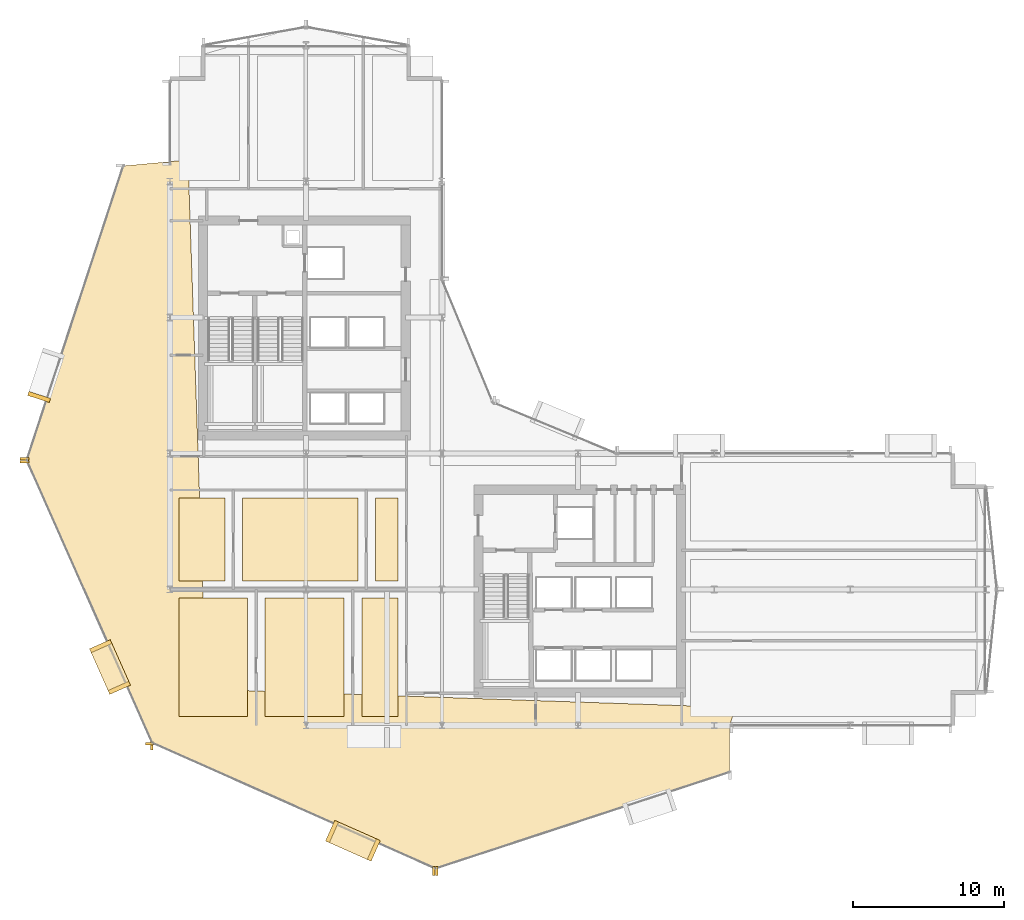
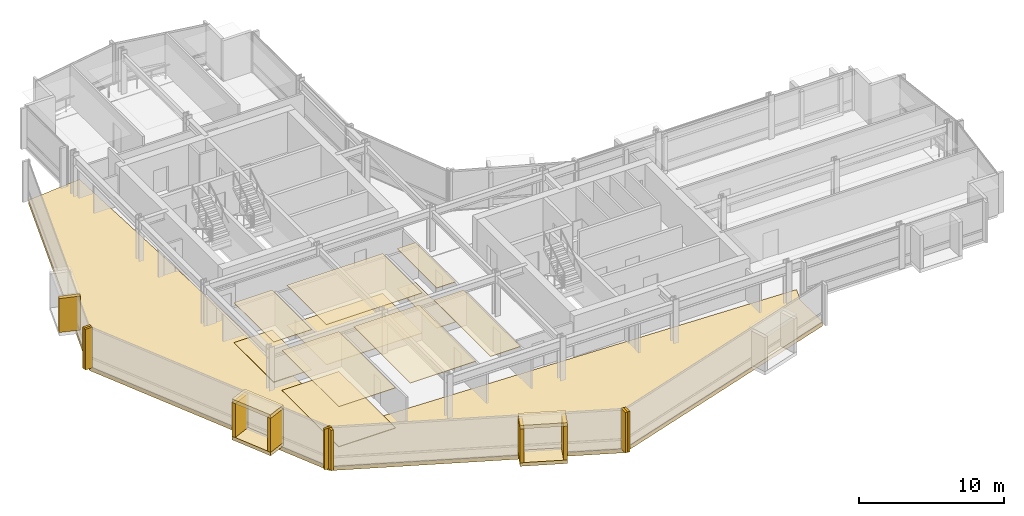
# One storey, part 30 of 34: 26 coverings.
"""IFC4 building model written with IfcOpenShell, lengths in metres."""

from ifc_helpers import new_model, si_unit, direction, frame, origin, origin_2d, place, context, subcontext, project, spatial, polyline, rectangle, outline, extrude, material, layer, layer_set, type_object, element, save


model = new_model("IFC4")

# Units and contexts
model_context = context("Model", 3, precision=1e-05, world=origin(), true_north=direction((0.0, 1.0)))
body_context = subcontext(model_context, "Body", "Model", "MODEL_VIEW")
ifc_project = project(units=[si_unit("LENGTHUNIT", "METRE"), si_unit("AREAUNIT", "SQUARE_METRE"), si_unit("VOLUMEUNIT", "CUBIC_METRE"), si_unit("PLANEANGLEUNIT", "RADIAN"), si_unit("MASSUNIT", "GRAM", prefix="KILO")], contexts=[model_context])

# Site, building, storey
site_placement = place(None, origin())
site = spatial("IfcSite", under=ifc_project, at=site_placement, CompositionType="ELEMENT")
building_placement = place(site_placement, origin())
building = spatial("IfcBuilding", under=site, at=building_placement, Name="Solvaryn Broadcast Tower", CompositionType="ELEMENT")
storey_placement = place(building_placement, frame((0.0, 0.0, 69.300048828125)))
storey = spatial("IfcBuildingStorey", under=building, at=storey_placement, Name="L16", CompositionType="ELEMENT", Elevation=69.300048828125)

# Coverings
ifc_material_1 = material(Name="Micro-Perforated Acoustic Gypsum Ceiling", Category="concrete")
ifc_layer_1 = layer(ifc_material_1, 0.0400390625)
ifc_layer_set_1 = layer_set([ifc_layer_1], Name="CV-CEIL-ACOUSTIC")
covering_type_1 = type_object("IfcCoveringType", Name="CV-CEIL-ACOUSTIC", PredefinedType="CEILING", material=ifc_layer_set_1)
covering_1_placement = place(storey_placement, frame((0.0, 0.0, 3.3798828125)))
element("IfcCovering", 1, at=covering_1_placement, inside=storey, type_object=covering_type_1, Name="L16 Room Acoustic Ceiling 1", PredefinedType="CEILING", context=body_context, shape_type="SweptSolid", body=[
    extrude(outline(polyline([(9.60009765625, 18.570068359375), (12.6298828125, 18.570068359375), (12.6298828125, 24.050048828125), (9.60009765625, 24.050048828125), (9.60009765625, 18.570068359375)])), origin(), (0.0, 0.0, 1.0), 0.0400390625),
])
covering_2_placement = place(storey_placement, frame((0.0, 0.0, 3.3798828125)))
element("IfcCovering", 2, at=covering_2_placement, inside=storey, type_object=covering_type_1, Name="L16 Room Acoustic Ceiling 2", PredefinedType="CEILING", context=body_context, shape_type="SweptSolid", body=[
    extrude(outline(polyline([(13.800048828125, 18.570068359375), (21.429931640625, 18.570068359375), (21.429931640625, 24.050048828125), (13.800048828125, 24.050048828125), (13.800048828125, 18.570068359375)])), origin(), (0.0, 0.0, 1.0), 0.0400390625),
])
covering_3_placement = place(storey_placement, frame((0.0, 0.0, 3.3798828125)))
element("IfcCovering", 3, at=covering_3_placement, inside=storey, type_object=covering_type_1, Name="L16 Room Acoustic Ceiling 3", PredefinedType="CEILING", context=body_context, shape_type="SweptSolid", body=[
    extrude(outline(polyline([(22.60009765625, 18.570068359375), (24.080078125, 18.570068359375), (24.080078125, 24.050048828125), (22.60009765625, 24.050048828125), (22.60009765625, 18.570068359375)])), origin(), (0.0, 0.0, 1.0), 0.0400390625),
])
covering_4_placement = place(storey_placement, frame((0.0, 0.0, 3.3798828125)))
element("IfcCovering", 4, at=covering_4_placement, inside=storey, type_object=covering_type_1, Name="L16 Room Acoustic Ceiling 4", PredefinedType="CEILING", context=body_context, shape_type="SweptSolid", body=[
    extrude(outline(polyline([(9.60009765625, 9.60009765625), (14.1298828125, 9.60009765625), (14.1298828125, 17.429931640625), (9.60009765625, 17.429931640625), (9.60009765625, 9.60009765625)])), origin(), (0.0, 0.0, 1.0), 0.0400390625),
])
covering_5_placement = place(storey_placement, frame((0.0, 0.0, 3.3798828125)))
element("IfcCovering", 5, at=covering_5_placement, inside=storey, type_object=covering_type_1, Name="L16 Room Acoustic Ceiling 5", PredefinedType="CEILING", context=body_context, shape_type="SweptSolid", body=[
    extrude(outline(polyline([(15.300048828125, 9.60009765625), (20.530029296875, 9.60009765625), (20.530029296875, 17.429931640625), (15.300048828125, 17.429931640625), (15.300048828125, 9.60009765625)])), origin(), (0.0, 0.0, 1.0), 0.0400390625),
])
covering_6_placement = place(storey_placement, frame((0.0, 0.0, 3.3798828125)))
element("IfcCovering", 6, at=covering_6_placement, inside=storey, type_object=covering_type_1, Name="L16 Room Acoustic Ceiling 6", PredefinedType="CEILING", context=body_context, shape_type="SweptSolid", body=[
    extrude(outline(polyline([(21.699951171875, 9.60009765625), (24.080078125, 9.60009765625), (24.080078125, 17.429931640625), (21.699951171875, 17.429931640625), (21.699951171875, 9.60009765625)])), origin(), (0.0, 0.0, 1.0), 0.0400390625),
])
ifc_material_2 = material(Name="Newsroom Raised Data Access Flooring", Category="steel")
ifc_layer_2 = layer(ifc_material_2, 0.050048828125)
ifc_layer_set_2 = layer_set([ifc_layer_2], Name="CV-FLOOR-RAISED")
covering_type_2 = type_object("IfcCoveringType", Name="CV-FLOOR-RAISED", PredefinedType="FLOORING", material=ifc_layer_set_2)
covering_7_placement = place(storey_placement, origin())
element("IfcCovering", 7, at=covering_7_placement, inside=storey, type_object=covering_type_2, Name="L16 Room Acoustic Floor Finish 1", PredefinedType="FLOORING", context=body_context, shape_type="SweptSolid", body=[
    extrude(outline(polyline([(9.60009765625, 18.570068359375), (12.6298828125, 18.570068359375), (12.6298828125, 24.050048828125), (9.60009765625, 24.050048828125), (9.60009765625, 18.570068359375)])), origin(), (0.0, 0.0, 1.0), 0.050048828125),
])
covering_8_placement = place(storey_placement, origin())
element("IfcCovering", 8, at=covering_8_placement, inside=storey, type_object=covering_type_2, Name="L16 Room Acoustic Floor Finish 2", PredefinedType="FLOORING", context=body_context, shape_type="SweptSolid", body=[
    extrude(outline(polyline([(13.800048828125, 18.570068359375), (21.429931640625, 18.570068359375), (21.429931640625, 24.050048828125), (13.800048828125, 24.050048828125), (13.800048828125, 18.570068359375)])), origin(), (0.0, 0.0, 1.0), 0.050048828125),
])
covering_9_placement = place(storey_placement, origin())
element("IfcCovering", 9, at=covering_9_placement, inside=storey, type_object=covering_type_2, Name="L16 Room Acoustic Floor Finish 3", PredefinedType="FLOORING", context=body_context, shape_type="SweptSolid", body=[
    extrude(outline(polyline([(22.60009765625, 18.570068359375), (24.080078125, 18.570068359375), (24.080078125, 24.050048828125), (22.60009765625, 24.050048828125), (22.60009765625, 18.570068359375)])), origin(), (0.0, 0.0, 1.0), 0.050048828125),
])
covering_10_placement = place(storey_placement, origin())
element("IfcCovering", 10, at=covering_10_placement, inside=storey, type_object=covering_type_2, Name="L16 Room Acoustic Floor Finish 4", PredefinedType="FLOORING", context=body_context, shape_type="SweptSolid", body=[
    extrude(outline(polyline([(9.60009765625, 9.60009765625), (14.1298828125, 9.60009765625), (14.1298828125, 17.429931640625), (9.60009765625, 17.429931640625), (9.60009765625, 9.60009765625)])), origin(), (0.0, 0.0, 1.0), 0.050048828125),
])
ifc_material_3 = material(Name="Glazed Architectural Terracotta Rainscreen Cladding", Category="masonry")
ifc_layer_3 = layer(ifc_material_3, 0.280029296875)
ifc_layer_set_3 = layer_set([ifc_layer_3], Name="CV-TC-CLAD")
covering_type_3 = type_object("IfcCoveringType", Name="CV-TC-CLAD", PredefinedType="CLADDING", material=ifc_layer_set_3)
covering_11_placement = place(storey_placement, frame((0.348388671875, 30.73828125, 0.27978515625), z_axis=(0.0, 0.0, 1.0), x_axis=(-0.311671636848, -0.950189870912, 0.0)))
element("IfcCovering", 11, at=covering_11_placement, inside=storey, type_object=covering_type_3, Name="L16 Projecting Stone Window Box Cheek 1-2", PredefinedType="CLADDING", context=body_context, shape_type="SweptSolid", body=[
    extrude(rectangle(XDim=0.280029296875, YDim=1.5, at=origin_2d()), origin(), (0.0, 0.0, 1.0), 2.860107421875),
])
for number, where, z_axis, x_axis, name in (
    (12, (5.035888671875, 12.8720703125, 3.1298828125), (0.0, 0.0, 1.0), (0.405939269498, -0.913900054426, 0.0), "L16 Projecting Stone Window Box Hood 2"),
    (13, (5.035888671875, 12.8720703125, -0.01025390625), (0.0, 0.0, 1.0), (0.405939269498, -0.913900054426, 0.0), "L16 Projecting Stone Window Box Sill 2"),
):
    element("IfcCovering", number, at=place(storey_placement, frame(where, z_axis=z_axis, x_axis=x_axis)), inside=storey, type_object=covering_type_3, Name=name, PredefinedType="CLADDING", context=body_context, shape_type="SweptSolid", body=[
        extrude(rectangle(XDim=3.300048828125, YDim=1.5, at=origin_2d()), origin(), (0.0, 0.0, 1.0), 0.300048828125),
    ])
for number, where, z_axis, x_axis, name in (
    (14, (4.423095703125, 14.251953125, 0.27978515625), (0.0, 0.0, 1.0), (0.405939269498, -0.913900054426, 0.0), "L16 Projecting Stone Window Box Cheek 2-1"),
    (15, (5.64892578125, 11.491943359375, 0.27978515625), (0.0, 0.0, 1.0), (0.405939269498, -0.913900054426, 0.0), "L16 Projecting Stone Window Box Cheek 2-2"),
):
    element("IfcCovering", number, at=place(storey_placement, frame(where, z_axis=z_axis, x_axis=x_axis)), inside=storey, type_object=covering_type_3, Name=name, PredefinedType="CLADDING", context=body_context, shape_type="SweptSolid", body=[
        extrude(rectangle(XDim=0.280029296875, YDim=1.5, at=origin_2d()), origin(), (0.0, 0.0, 1.0), 2.860107421875),
    ])
for number, where, z_axis, x_axis, name in (
    (16, (21.10498046875, 1.37890625, 3.1298828125), (0.0, 0.0, 1.0), (0.913900054426, -0.405939269498, 0.0), "L16 Projecting Stone Window Box Hood 3"),
    (17, (21.10498046875, 1.37890625, -0.01025390625), (0.0, 0.0, 1.0), (0.913900054426, -0.405939269498, 0.0), "L16 Projecting Stone Window Box Sill 3"),
):
    element("IfcCovering", number, at=place(storey_placement, frame(where, z_axis=z_axis, x_axis=x_axis)), inside=storey, type_object=covering_type_3, Name=name, PredefinedType="CLADDING", context=body_context, shape_type="SweptSolid", body=[
        extrude(rectangle(XDim=3.300048828125, YDim=1.5, at=origin_2d()), origin(), (0.0, 0.0, 1.0), 0.300048828125),
    ])
for number, where, z_axis, x_axis, name in (
    (18, (19.72509765625, 1.991943359375, 0.27978515625), (0.0, 0.0, 1.0), (0.913900054426, -0.405939269498, 0.0), "L16 Projecting Stone Window Box Cheek 3-1"),
    (19, (22.485107421875, 0.76611328125, 0.27978515625), (0.0, 0.0, 1.0), (0.913900054426, -0.405939269498, 0.0), "L16 Projecting Stone Window Box Cheek 3-2"),
):
    element("IfcCovering", number, at=place(storey_placement, frame(where, z_axis=z_axis, x_axis=x_axis)), inside=storey, type_object=covering_type_3, Name=name, PredefinedType="CLADDING", context=body_context, shape_type="SweptSolid", body=[
        extrude(rectangle(XDim=0.280029296875, YDim=1.5, at=origin_2d()), origin(), (0.0, 0.0, 1.0), 2.860107421875),
    ])
ifc_material_4 = material(Name="Extruded Architectural Terracotta Fin", Category="masonry")
ifc_layer_4 = layer(ifc_material_4, 0.179931640625)
ifc_layer_set_4 = layer_set([ifc_layer_4], Name="CV-TC-FIN")
covering_type_4 = type_object("IfcCoveringType", Name="CV-TC-FIN", PredefinedType="USERDEFINED", material=ifc_layer_set_4)
for number, where, z_axis, x_axis, name in (
    (20, (-0.625732421875, 26.644775390625, 0.0), (0.0, 0.0, 1.0), (1.0, 0.0, 0.0), "L16 Terracotta Vertical Fin FIN-L16-DR1-M01"),
    (21, (-0.6162109375, 26.459716796875, 0.0), (0.0, 0.0, 1.0), (1.0, 0.0, 0.0), "L16 Terracotta Vertical Fin FIN-L16-DR2-M00"),
    (22, (7.670654296875, 7.8017578125, 0.0), (0.0, 0.0, 1.0), (1.0, 0.0, 0.0), "L16 Terracotta Vertical Fin FIN-L16-DR2-M01"),
):
    element("IfcCovering", number, at=place(storey_placement, frame(where, z_axis=z_axis, x_axis=x_axis)), inside=storey, type_object=covering_type_4, Name=name, ObjectType="FIN", PredefinedType="USERDEFINED", context=body_context, shape_type="SweptSolid", body=[
        extrude(rectangle(XDim=0.580078125, YDim=0.179931640625, at=origin_2d()), origin(), (0.0, 0.0, 1.0), 3.419921875),
    ])
for number, where, z_axis, x_axis, name in (
    (23, (7.8017578125, 7.670654296875, 0.0), (0.0, 0.0, 1.0), (1.0, 0.0, 0.0), "L16 Terracotta Vertical Fin FIN-L16-DR3-M00"),
    (24, (26.459716796875, -0.6162109375, 0.0), (0.0, 0.0, 1.0), (1.0, 0.0, 0.0), "L16 Terracotta Vertical Fin FIN-L16-DR3-M01"),
    (25, (26.644775390625, -0.625732421875, 0.0), (0.0, 0.0, 1.0), (1.0, 0.0, 0.0), "L16 Terracotta Vertical Fin FIN-L16-DR4-M00"),
):
    element("IfcCovering", number, at=place(storey_placement, frame(where, z_axis=z_axis, x_axis=x_axis)), inside=storey, type_object=covering_type_4, Name=name, ObjectType="FIN", PredefinedType="USERDEFINED", context=body_context, shape_type="SweptSolid", body=[
        extrude(rectangle(XDim=0.179931640625, YDim=0.580078125, at=origin_2d()), origin(), (0.0, 0.0, 1.0), 3.419921875),
    ])
ifc_material_5 = material(Name="Sculpted Architectural Terracotta Wave Fascia", Category="masonry")
ifc_layer_5 = layer(ifc_material_5, 0.340087890625)
ifc_layer_set_5 = layer_set([ifc_layer_5], Name="CV-WAVE-TRAY")
covering_type_5 = type_object("IfcCoveringType", Name="CV-WAVE-TRAY", PredefinedType="CLADDING", material=ifc_layer_set_5)
covering_12_placement = place(storey_placement, frame((0.0, 0.0, -0.300048828125)))
element("IfcCovering", 26, at=covering_12_placement, inside=storey, type_object=covering_type_5, Name="L16 Stepped Cylindrical Drum Floor Apron", PredefinedType="CLADDING", context=body_context, shape_type="SweptSolid", body=[
    extrude(outline(polyline([(10.199951171875, 46.416015625), (5.916015625, 46.01611328125), (-0.464111328125, 26.56005859375), (7.846923828125, 7.846923828125), (26.56005859375, -0.464111328125), (46.01611328125, 5.916015625), (46.01611328125, 9.0), (46.416015625, 10.199951171875), (11.39990234375, 11.39990234375), (10.199951171875, 46.416015625)])), origin(), (0.0, 0.0, 1.0), 0.330078125),
])

save(model, "model.ifc")
